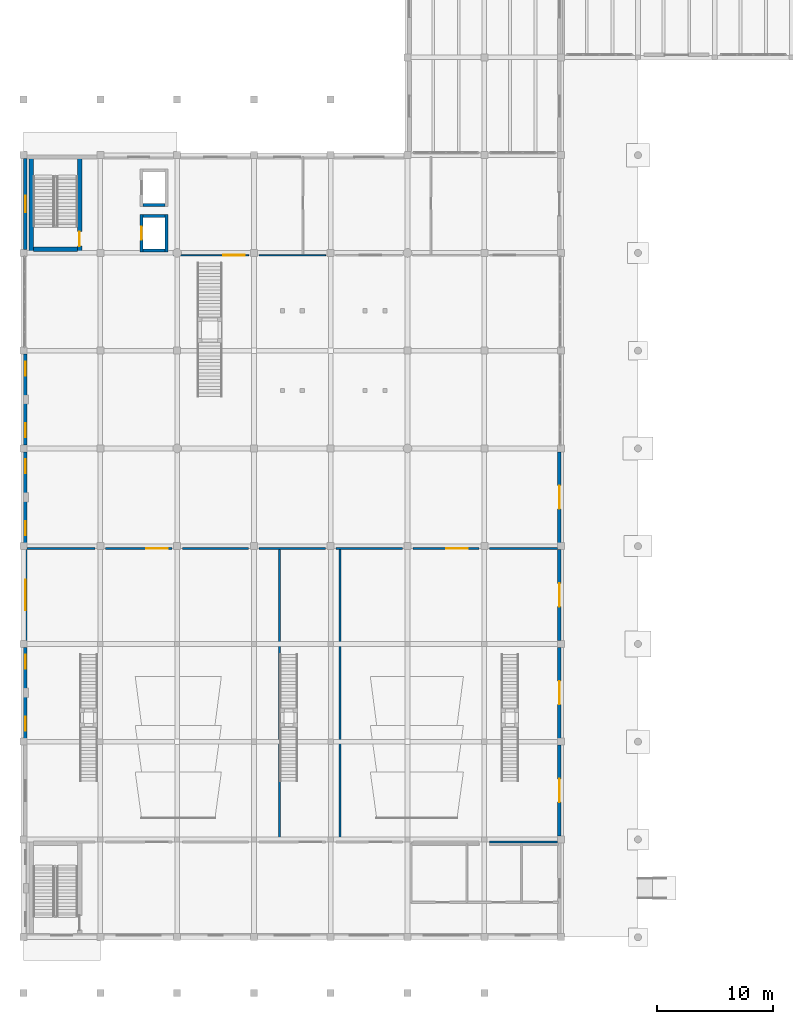
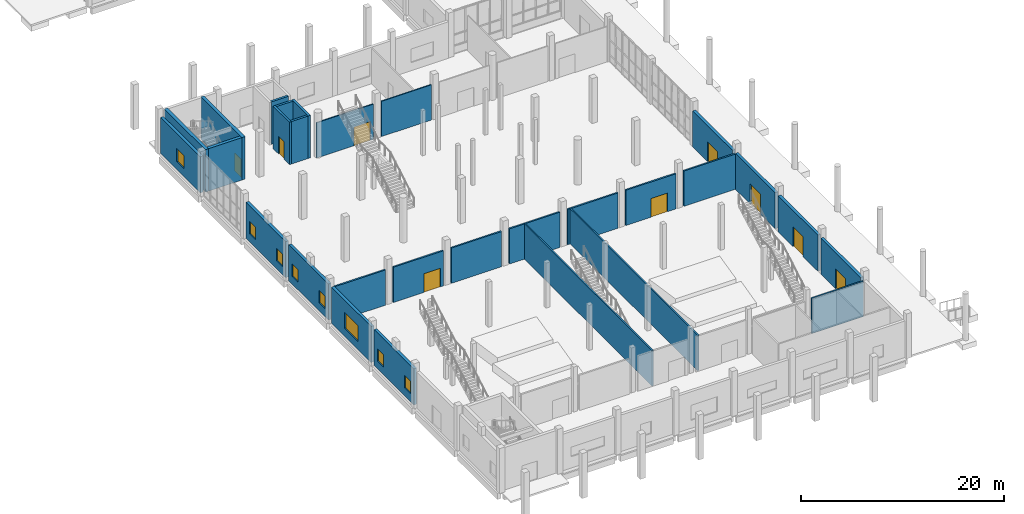
# One storey, part 41 of 64: 29 walls, 9 doors, 8 windows, 17 openings.
"""IFC4 building model written with IfcOpenShell, lengths in metres."""

from ifc_helpers import new_model, si_unit, direction, frame, frame_2d, origin, place, context, subcontext, project, spatial, rectangle, extrude, material, layer, layer_set, type_object, element, fill, save


model = new_model("IFC4")

# Units and contexts
model_context = context("Model", 3, precision=1e-05, world=origin(), true_north=direction((0.0, 1.0)))
body_context = subcontext(model_context, "Body", "Model", "MODEL_VIEW")
ifc_project = project(units=[si_unit("LENGTHUNIT", "METRE"), si_unit("AREAUNIT", "SQUARE_METRE"), si_unit("VOLUMEUNIT", "CUBIC_METRE"), si_unit("PLANEANGLEUNIT", "RADIAN"), si_unit("MASSUNIT", "GRAM", prefix="KILO")], contexts=[model_context])

# Site, building, storey
site_placement = place(None, origin())
site = spatial("IfcSite", under=ifc_project, at=site_placement, CompositionType="ELEMENT")
building_placement = place(site_placement, origin())
building = spatial("IfcBuilding", under=site, at=building_placement, Name="Qaldarim Faculty of Natural and Applied Sciences", CompositionType="ELEMENT")
storey_placement = place(building_placement, origin())
storey = spatial("IfcBuildingStorey", under=building, at=storey_placement, Name="L00", CompositionType="ELEMENT", Elevation=0.0)

# Wall, opening, door
ifc_material_1 = material(Name="Painted gypsum partition board")
ifc_layer_1 = layer(ifc_material_1, 0.1201171875)
ifc_layer_set_1 = layer_set([ifc_layer_1], Name="Painted gypsum partition board")
wall_type_1 = type_object("IfcWallType", Name="AcousticPartition-120", PredefinedType="PARTITIONING", material=ifc_layer_set_1)
wall_1_placement = place(storey_placement, frame((12.89990234375, 75.39990234375, 0.0), z_axis=(0.0, 0.0, 1.0), x_axis=(1.0, 0.0, 0.0)))
wall_1 = element("IfcWall", 1, at=wall_1_placement, inside=storey, type_object=wall_type_1, Name="Interior partition PRT-L00-V2-CAFS-S1", PredefinedType="PARTITIONING", context=body_context, shape_type="SweptSolid", body=[
    extrude(rectangle(XDim=6.4501953125, YDim=0.1201171875, at=frame_2d((3.22509765625, 0.0))), origin(), (0.0, 0.0, 1.0), 4.235107421875),
])
opening_1_placement = place(wall_1_placement, frame((4.25, 0.0, 0.0)))
opening_1 = element("IfcOpeningElement", 2, at=opening_1_placement, cuts=wall_1, Name="Opening ID05", PredefinedType="OPENING", context=body_context, shape_type="SweptSolid", body=[
    extrude(rectangle(XDim=1.85009765625, YDim=2.25, at=frame_2d((0.925048828125, 1.125))), frame((0.0, 0.070068359375, 0.0), z_axis=(0.0, -1.0, 0.0), x_axis=(1.0, 0.0, 0.0)), (0.0, 0.0, 1.0), 0.14013671875),
])
ifc_material_2 = material(Name="Oak hardwood", Category="wood")
door_type_1 = type_object("IfcDoorType", Name="LectureDoubleDoor-1850x2250", OperationType="NOTDEFINED", PredefinedType="DOOR", material=ifc_material_2)
door_1_placement = place(opening_1_placement, origin())
door_1 = element("IfcDoor", 3, at=door_1_placement, inside=storey, type_object=door_type_1, Name="Interior door D-L00-169", OperationType="DOUBLE_DOOR_SINGLE_SWING", OverallHeight=2.25, OverallWidth=1.85009765625, PredefinedType="DOOR", context=body_context, shape_type="SweptSolid", body=[
    extrude(rectangle(XDim=1.85009765625, YDim=2.25, at=frame_2d((0.925048828125, 1.125))), frame((0.0, 0.02490234375, 0.0), z_axis=(0.0, -1.0, 0.0), x_axis=(1.0, 0.0, 0.0)), (0.0, 0.0, 1.0), 0.050048828125),
])
fill(opening_1, door_1)

# Walls
wall_2_placement = place(storey_placement, frame((20.25, 75.39990234375, 0.0), z_axis=(0.0, 0.0, 1.0), x_axis=(1.0, 0.0, 0.0)))
element("IfcWall", 4, at=wall_2_placement, inside=storey, type_object=wall_type_1, Name="Interior partition PRT-L00-V2-CAFS-S2", PredefinedType="PARTITIONING", context=body_context, shape_type="SweptSolid", body=[
    extrude(rectangle(XDim=5.699951171875, YDim=0.1201171875, at=frame_2d((2.85009765625, 0.0))), origin(), (0.0, 0.0, 1.0), 4.235107421875),
])
ifc_material_3 = material(Name="Concrete C50/60", Category="concrete")
ifc_layer_2 = layer(ifc_material_3, 0.360107421875)
ifc_layer_set_2 = layer_set([ifc_layer_2], Name="Concrete C50/60")
wall_type_2 = type_object("IfcWallType", Name="CoreShearWall-360", PredefinedType="SHEAR", material=ifc_layer_set_2)
wall_3_placement = place(storey_placement, frame((0.669921875, 75.739990234375, 0.0), z_axis=(0.0, 0.0, 1.0), x_axis=(0.0, 1.0, 0.0)))
element("IfcWall", 5, at=wall_3_placement, inside=storey, type_object=wall_type_2, Name="Core stair ST-D2 west shear wall L00", PredefinedType="SHEAR", context=body_context, shape_type="SweptSolid", body=[
    extrude(rectangle(XDim=8.090087890625, YDim=0.360107421875, at=frame_2d((4.044921875, 0.0))), origin(), (0.0, 0.0, 1.0), 5.10009765625),
])

# Wall, opening, door
wall_4_placement = place(storey_placement, frame((4.830078125, 75.739990234375, 0.0), z_axis=(0.0, 0.0, 1.0), x_axis=(0.0, 1.0, 0.0)))
wall_4 = element("IfcWall", 6, at=wall_4_placement, inside=storey, type_object=wall_type_2, Name="Core stair ST-D2 east shear wall L00", PredefinedType="SHEAR", context=body_context, shape_type="SweptSolid", body=[
    extrude(rectangle(XDim=8.090087890625, YDim=0.360107421875, at=frame_2d((4.044921875, 0.0))), origin(), (0.0, 0.0, 1.0), 5.10009765625),
])
opening_2_placement = place(wall_4_placement, frame((0.449951171875, 0.0, 0.0)))
opening_2 = element("IfcOpeningElement", 7, at=opening_2_placement, cuts=wall_4, Name="Opening ID04", PredefinedType="OPENING", context=body_context, shape_type="SweptSolid", body=[
    extrude(rectangle(XDim=1.25, YDim=2.14990234375, at=frame_2d((0.625, 1.074951171875))), frame((0.0, 0.18994140625, 0.0), z_axis=(0.0, -1.0, 0.0), x_axis=(1.0, 0.0, 0.0)), (0.0, 0.0, 1.0), 0.380126953125),
])
ifc_material_4 = material(Name="Architectural stainless steel 316", Category="steel")
door_type_2 = type_object("IfcDoorType", Name="StairEnclosureFireDoor-1250x2150", OperationType="NOTDEFINED", PredefinedType="DOOR", material=ifc_material_4)
door_2_placement = place(opening_2_placement, origin())
door_2 = element("IfcDoor", 8, at=door_2_placement, inside=storey, type_object=door_type_2, Name="Protected stair ST-D2 fire door D-L00-553", OperationType="SINGLE_SWING_RIGHT", OverallHeight=2.14990234375, OverallWidth=1.25, PredefinedType="DOOR", context=body_context, shape_type="SweptSolid", body=[
    extrude(rectangle(XDim=1.25, YDim=2.14990234375, at=frame_2d((0.625, 1.074951171875))), frame((0.0, 0.02490234375, 0.0), z_axis=(0.0, -1.0, 0.0), x_axis=(1.0, 0.0, 0.0)), (0.0, 0.0, 1.0), 0.050048828125),
])
fill(opening_2, door_2)

# Wall
wall_5_placement = place(storey_placement, frame((0.85009765625, 75.919921875, 0.0), z_axis=(0.0, 0.0, 1.0), x_axis=(1.0, 0.0, 0.0)))
element("IfcWall", 9, at=wall_5_placement, inside=storey, type_object=wall_type_2, Name="Core stair ST-D2 south shear wall L00", PredefinedType="SHEAR", context=body_context, shape_type="SweptSolid", body=[
    extrude(rectangle(XDim=3.7998046875, YDim=0.360107421875, at=frame_2d((1.89990234375, 0.0))), origin(), (0.0, 0.0, 1.0), 5.10009765625),
])

# Wall, openings, windows
ifc_material_5 = material(Name="Precast concrete C40/50", Category="concrete")
ifc_layer_3 = layer(ifc_material_5, 0.320068359375)
ifc_layer_set_3 = layer_set([ifc_layer_3], Name="Precast concrete C40/50")
wall_type_3 = type_object("IfcWallType", Name="ExteriorLimestoneWall-320", PredefinedType="SOLIDWALL", material=ifc_layer_set_3)
wall_6_placement = place(storey_placement, frame((0.159912109375, 41.705078125, 0.0), z_axis=(0.0, 0.0, 1.0), x_axis=(0.0, -1.0, 0.0)))
wall_6 = element("IfcWall", 10, at=wall_6_placement, inside=storey, type_object=wall_type_3, Name="Exterior wall EW01 L00 W X01Y05", PredefinedType="SOLIDWALL", context=body_context, shape_type="SweptSolid", body=[
    extrude(rectangle(XDim=7.81005859375, YDim=0.320068359375, at=frame_2d((3.905029296875, 0.0))), origin(), (0.0, 0.0, 1.0), 4.3349609375),
])
opening_3_placement = place(wall_6_placement, frame((0.64990234375, 0.0, 0.949951171875)))
opening_3 = element("IfcOpeningElement", 11, at=opening_3_placement, cuts=wall_6, Name="Opening WN01", PredefinedType="OPENING", context=body_context, shape_type="SweptSolid", body=[
    extrude(rectangle(XDim=1.199951171875, YDim=1.5, at=frame_2d((0.60009765625, 0.75))), frame((0.0, 0.169921875, 0.0), z_axis=(0.0, -1.0, 0.0), x_axis=(1.0, 0.0, 0.0)), (0.0, 0.0, 1.0), 0.340087890625),
])
opening_4_placement = place(wall_6_placement, frame((5.9599609375, 0.0, 0.949951171875)))
opening_4 = element("IfcOpeningElement", 12, at=opening_4_placement, cuts=wall_6, Name="Opening WN01", PredefinedType="OPENING", context=body_context, shape_type="SweptSolid", body=[
    extrude(rectangle(XDim=1.199951171875, YDim=1.5, at=frame_2d((0.60009765625, 0.75))), frame((0.0, 0.169921875, 0.0), z_axis=(0.0, -1.0, 0.0), x_axis=(1.0, 0.0, 0.0)), (0.0, 0.0, 1.0), 0.340087890625),
])
ifc_material_6 = material(Name="Insulated low-e double glazing", Category="glass")
window_type_1 = type_object("IfcWindowType", Name="Window-1200x1500", PartitioningType="SINGLE_PANEL", PredefinedType="WINDOW", material=ifc_material_6)
window_1_placement = place(opening_3_placement, origin())
window_1 = element("IfcWindow", 13, at=window_1_placement, inside=storey, type_object=window_type_1, Name="Pilaster-bay flanking window L00 W X01Y05-1", OverallHeight=1.5, OverallWidth=1.199951171875, PartitioningType="SINGLE_PANEL", PredefinedType="WINDOW", context=body_context, shape_type="SweptSolid", body=[
    extrude(rectangle(XDim=1.199951171875, YDim=1.5, at=frame_2d((0.60009765625, 0.75))), frame((0.0, 0.030029296875, 0.0), z_axis=(0.0, -1.0, 0.0), x_axis=(1.0, 0.0, 0.0)), (0.0, 0.0, 1.0), 0.06005859375),
])
fill(opening_3, window_1)
window_2_placement = place(opening_4_placement, origin())
window_2 = element("IfcWindow", 14, at=window_2_placement, inside=storey, type_object=window_type_1, Name="Pilaster-bay flanking window L00 W X01Y05-2", OverallHeight=1.5, OverallWidth=1.199951171875, PartitioningType="SINGLE_PANEL", PredefinedType="WINDOW", context=body_context, shape_type="SweptSolid", body=[
    extrude(rectangle(XDim=1.199951171875, YDim=1.5, at=frame_2d((0.60009765625, 0.75))), frame((0.0, 0.030029296875, 0.0), z_axis=(0.0, -1.0, 0.0), x_axis=(1.0, 0.0, 0.0)), (0.0, 0.0, 1.0), 0.06005859375),
])
fill(opening_4, window_2)

# Wall, opening, window
wall_7_placement = place(storey_placement, frame((0.159912109375, 50.10498046875, 0.0), z_axis=(0.0, 0.0, 1.0), x_axis=(0.0, -1.0, 0.0)))
wall_7 = element("IfcWall", 15, at=wall_7_placement, inside=storey, type_object=wall_type_3, Name="Exterior wall EW01 L00 W X01Y06", PredefinedType="SOLIDWALL", context=body_context, shape_type="SweptSolid", body=[
    extrude(rectangle(XDim=7.81005859375, YDim=0.320068359375, at=frame_2d((3.905029296875, 0.0))), origin(), (0.0, 0.0, 1.0), 4.3349609375),
])
opening_5_placement = place(wall_7_placement, frame((2.60498046875, 0.0, 0.949951171875)))
opening_5 = element("IfcOpeningElement", 16, at=opening_5_placement, cuts=wall_7, Name="Opening WN22", PredefinedType="OPENING", context=body_context, shape_type="SweptSolid", body=[
    extrude(rectangle(XDim=2.60009765625, YDim=1.89990234375, at=frame_2d((1.300048828125, 0.949951171875))), frame((0.0, 0.169921875, 0.0), z_axis=(0.0, -1.0, 0.0), x_axis=(1.0, 0.0, 0.0)), (0.0, 0.0, 1.0), 0.340087890625),
])
window_type_2 = type_object("IfcWindowType", Name="StudyWindow-2600x1900", PartitioningType="TRIPLE_PANEL_VERTICAL", PredefinedType="WINDOW", material=ifc_material_6)
window_3_placement = place(opening_5_placement, origin())
window_3 = element("IfcWindow", 17, at=window_3_placement, inside=storey, type_object=window_type_2, Name="Facade window WN22 L00 W X01Y06", OverallHeight=1.89990234375, OverallWidth=2.60009765625, PartitioningType="SINGLE_PANEL", PredefinedType="WINDOW", context=body_context, shape_type="SweptSolid", body=[
    extrude(rectangle(XDim=2.60009765625, YDim=1.89990234375, at=frame_2d((1.300048828125, 0.949951171875))), frame((0.0, 0.030029296875, 0.0), z_axis=(0.0, -1.0, 0.0), x_axis=(1.0, 0.0, 0.0)), (0.0, 0.0, 1.0), 0.06005859375),
])
fill(opening_5, window_3)

# Wall, openings, windows
wall_8_placement = place(storey_placement, frame((0.159912109375, 58.5048828125, 0.0), z_axis=(0.0, 0.0, 1.0), x_axis=(0.0, -1.0, 0.0)))
wall_8 = element("IfcWall", 18, at=wall_8_placement, inside=storey, type_object=wall_type_3, Name="Exterior wall EW01 L00 W X01Y07", PredefinedType="SOLIDWALL", context=body_context, shape_type="SweptSolid", body=[
    extrude(rectangle(XDim=7.809814453125, YDim=0.320068359375, at=frame_2d((3.90478515625, 0.0))), origin(), (0.0, 0.0, 1.0), 4.3349609375),
])
opening_6_placement = place(wall_8_placement, frame((0.64990234375, 0.0, 0.949951171875)))
opening_6 = element("IfcOpeningElement", 19, at=opening_6_placement, cuts=wall_8, Name="Opening WN01", PredefinedType="OPENING", context=body_context, shape_type="SweptSolid", body=[
    extrude(rectangle(XDim=1.199951171875, YDim=1.5, at=frame_2d((0.60009765625, 0.75))), frame((0.0, 0.169921875, 0.0), z_axis=(0.0, -1.0, 0.0), x_axis=(1.0, 0.0, 0.0)), (0.0, 0.0, 1.0), 0.340087890625),
])
opening_7_placement = place(wall_8_placement, frame((5.9599609375, 0.0, 0.949951171875)))
opening_7 = element("IfcOpeningElement", 20, at=opening_7_placement, cuts=wall_8, Name="Opening WN01", PredefinedType="OPENING", context=body_context, shape_type="SweptSolid", body=[
    extrude(rectangle(XDim=1.199951171875, YDim=1.5, at=frame_2d((0.60009765625, 0.75))), frame((0.0, 0.169921875, 0.0), z_axis=(0.0, -1.0, 0.0), x_axis=(1.0, 0.0, 0.0)), (0.0, 0.0, 1.0), 0.340087890625),
])
window_4_placement = place(opening_6_placement, origin())
window_4 = element("IfcWindow", 21, at=window_4_placement, inside=storey, type_object=window_type_1, Name="Pilaster-bay flanking window L00 W X01Y07-1", OverallHeight=1.5, OverallWidth=1.199951171875, PartitioningType="SINGLE_PANEL", PredefinedType="WINDOW", context=body_context, shape_type="SweptSolid", body=[
    extrude(rectangle(XDim=1.199951171875, YDim=1.5, at=frame_2d((0.60009765625, 0.75))), frame((0.0, 0.030029296875, 0.0), z_axis=(0.0, -1.0, 0.0), x_axis=(1.0, 0.0, 0.0)), (0.0, 0.0, 1.0), 0.06005859375),
])
fill(opening_6, window_4)
window_5_placement = place(opening_7_placement, origin())
window_5 = element("IfcWindow", 22, at=window_5_placement, inside=storey, type_object=window_type_1, Name="Pilaster-bay flanking window L00 W X01Y07-2", OverallHeight=1.5, OverallWidth=1.199951171875, PartitioningType="SINGLE_PANEL", PredefinedType="WINDOW", context=body_context, shape_type="SweptSolid", body=[
    extrude(rectangle(XDim=1.199951171875, YDim=1.5, at=frame_2d((0.60009765625, 0.75))), frame((0.0, 0.030029296875, 0.0), z_axis=(0.0, -1.0, 0.0), x_axis=(1.0, 0.0, 0.0)), (0.0, 0.0, 1.0), 0.06005859375),
])
fill(opening_7, window_5)

wall_9_placement = place(storey_placement, frame((0.159912109375, 66.905029296875, 0.0), z_axis=(0.0, 0.0, 1.0), x_axis=(0.0, -1.0, 0.0)))
wall_9 = element("IfcWall", 23, at=wall_9_placement, inside=storey, type_object=wall_type_3, Name="Exterior wall EW01 L00 W X01Y08", PredefinedType="SOLIDWALL", context=body_context, shape_type="SweptSolid", body=[
    extrude(rectangle(XDim=7.81005859375, YDim=0.320068359375, at=frame_2d((3.905029296875, 0.0))), origin(), (0.0, 0.0, 1.0), 4.3349609375),
])
opening_8_placement = place(wall_9_placement, frame((0.64990234375, 0.0, 0.949951171875)))
opening_8 = element("IfcOpeningElement", 24, at=opening_8_placement, cuts=wall_9, Name="Opening WN01", PredefinedType="OPENING", context=body_context, shape_type="SweptSolid", body=[
    extrude(rectangle(XDim=1.199951171875, YDim=1.5, at=frame_2d((0.60009765625, 0.75))), frame((0.0, 0.169921875, 0.0), z_axis=(0.0, -1.0, 0.0), x_axis=(1.0, 0.0, 0.0)), (0.0, 0.0, 1.0), 0.340087890625),
])
opening_9_placement = place(wall_9_placement, frame((5.9599609375, 0.0, 0.949951171875)))
opening_9 = element("IfcOpeningElement", 25, at=opening_9_placement, cuts=wall_9, Name="Opening WN01", PredefinedType="OPENING", context=body_context, shape_type="SweptSolid", body=[
    extrude(rectangle(XDim=1.199951171875, YDim=1.5, at=frame_2d((0.60009765625, 0.75))), frame((0.0, 0.169921875, 0.0), z_axis=(0.0, -1.0, 0.0), x_axis=(1.0, 0.0, 0.0)), (0.0, 0.0, 1.0), 0.340087890625),
])
window_6_placement = place(opening_8_placement, origin())
window_6 = element("IfcWindow", 26, at=window_6_placement, inside=storey, type_object=window_type_1, Name="Pilaster-bay flanking window L00 W X01Y08-1", OverallHeight=1.5, OverallWidth=1.199951171875, PartitioningType="SINGLE_PANEL", PredefinedType="WINDOW", context=body_context, shape_type="SweptSolid", body=[
    extrude(rectangle(XDim=1.199951171875, YDim=1.5, at=frame_2d((0.60009765625, 0.75))), frame((0.0, 0.030029296875, 0.0), z_axis=(0.0, -1.0, 0.0), x_axis=(1.0, 0.0, 0.0)), (0.0, 0.0, 1.0), 0.06005859375),
])
fill(opening_8, window_6)
window_7_placement = place(opening_9_placement, origin())
window_7 = element("IfcWindow", 27, at=window_7_placement, inside=storey, type_object=window_type_1, Name="Pilaster-bay flanking window L00 W X01Y08-2", OverallHeight=1.5, OverallWidth=1.199951171875, PartitioningType="SINGLE_PANEL", PredefinedType="WINDOW", context=body_context, shape_type="SweptSolid", body=[
    extrude(rectangle(XDim=1.199951171875, YDim=1.5, at=frame_2d((0.60009765625, 0.75))), frame((0.0, 0.030029296875, 0.0), z_axis=(0.0, -1.0, 0.0), x_axis=(1.0, 0.0, 0.0)), (0.0, 0.0, 1.0), 0.06005859375),
])
fill(opening_9, window_7)

# Wall, opening, window
wall_10_placement = place(storey_placement, frame((0.159912109375, 83.705078125, 0.0), z_axis=(0.0, 0.0, 1.0), x_axis=(0.0, -1.0, 0.0)))
wall_10 = element("IfcWall", 28, at=wall_10_placement, inside=storey, type_object=wall_type_3, Name="Exterior wall EW01 L00 W X01Y10", PredefinedType="SOLIDWALL", context=body_context, shape_type="SweptSolid", body=[
    extrude(rectangle(XDim=7.81005859375, YDim=0.320068359375, at=frame_2d((3.905029296875, 0.0))), origin(), (0.0, 0.0, 1.0), 4.3349609375),
])
opening_10_placement = place(wall_10_placement, frame((3.179931640625, 0.0, 0.949951171875)))
opening_10 = element("IfcOpeningElement", 29, at=opening_10_placement, cuts=wall_10, Name="Opening WN32", PredefinedType="OPENING", context=body_context, shape_type="SweptSolid", body=[
    extrude(rectangle(XDim=1.449951171875, YDim=1.60009765625, at=frame_2d((0.72509765625, 0.800048828125))), frame((0.0, 0.169921875, 0.0), z_axis=(0.0, -1.0, 0.0), x_axis=(1.0, 0.0, 0.0)), (0.0, 0.0, 1.0), 0.340087890625),
])
window_type_3 = type_object("IfcWindowType", Name="SeminarWindow-1450x1600", PartitioningType="DOUBLE_PANEL_VERTICAL", PredefinedType="WINDOW", material=ifc_material_6)
window_8_placement = place(opening_10_placement, origin())
window_8 = element("IfcWindow", 30, at=window_8_placement, inside=storey, type_object=window_type_3, Name="Facade window WN32 L00 W X01Y10", OverallHeight=1.60009765625, OverallWidth=1.449951171875, PartitioningType="SINGLE_PANEL", PredefinedType="WINDOW", context=body_context, shape_type="SweptSolid", body=[
    extrude(rectangle(XDim=1.449951171875, YDim=1.60009765625, at=frame_2d((0.72509765625, 0.800048828125))), frame((0.0, 0.030029296875, 0.0), z_axis=(0.0, -1.0, 0.0), x_axis=(1.0, 0.0, 0.0)), (0.0, 0.0, 1.0), 0.06005859375),
])
fill(opening_10, window_8)

# Wall, opening, door
wall_11_placement = place(storey_placement, frame((46.0400390625, 25.4951171875, 0.0), z_axis=(0.0, 0.0, 1.0), x_axis=(0.0, 1.0, 0.0)))
wall_11 = element("IfcWall", 31, at=wall_11_placement, inside=storey, type_object=wall_type_3, Name="Exterior wall EW01 L00 E X07Y04", PredefinedType="SOLIDWALL", context=body_context, shape_type="SweptSolid", body=[
    extrude(rectangle(XDim=7.809814453125, YDim=0.320068359375, at=frame_2d((3.90478515625, 0.0))), origin(), (0.0, 0.0, 1.0), 4.3349609375),
])
opening_11_placement = place(wall_11_placement, frame((2.905029296875, 0.0, 0.0)))
opening_11 = element("IfcOpeningElement", 32, at=opening_11_placement, cuts=wall_11, Name="Opening ED01", PredefinedType="OPENING", context=body_context, shape_type="SweptSolid", body=[
    extrude(rectangle(XDim=2.0, YDim=2.39990234375, at=frame_2d((1.0, 1.199951171875))), frame((0.0, 0.169921875, 0.0), z_axis=(0.0, -1.0, 0.0), x_axis=(1.0, 0.0, 0.0)), (0.0, 0.0, 1.0), 0.340087890625),
])
ifc_material_7 = material(Name="Anodised aluminium AW-6063", Category="aluminium")
door_type_3 = type_object("IfcDoorType", Name="MainEntranceDoubleDoor-2000x2400", OperationType="NOTDEFINED", PredefinedType="DOOR", material=ifc_material_7)
door_3_placement = place(opening_11_placement, frame((2.0, 0.0, 0.0), z_axis=(0.0, 0.0, 1.0), x_axis=(-1.0, 0.0, 0.0)))
door_3 = element("IfcDoor", 33, at=door_3_placement, inside=storey, type_object=door_type_3, Name="Exterior entrance/exit door D-L00-006", OperationType="DOUBLE_DOOR_SINGLE_SWING", OverallHeight=2.39990234375, OverallWidth=2.0, PredefinedType="DOOR", context=body_context, shape_type="SweptSolid", body=[
    extrude(rectangle(XDim=2.0, YDim=2.39990234375, at=frame_2d((1.0, 1.199951171875))), frame((0.0, 0.02490234375, 0.0), z_axis=(0.0, -1.0, 0.0), x_axis=(1.0, 0.0, 0.0)), (0.0, 0.0, 1.0), 0.050048828125),
])
fill(opening_11, door_3)

wall_12_placement = place(storey_placement, frame((46.0400390625, 33.89501953125, 0.0), z_axis=(0.0, 0.0, 1.0), x_axis=(0.0, 1.0, 0.0)))
wall_12 = element("IfcWall", 34, at=wall_12_placement, inside=storey, type_object=wall_type_3, Name="Exterior wall EW01 L00 E X07Y05", PredefinedType="SOLIDWALL", context=body_context, shape_type="SweptSolid", body=[
    extrude(rectangle(XDim=7.81005859375, YDim=0.320068359375, at=frame_2d((3.905029296875, 0.0))), origin(), (0.0, 0.0, 1.0), 4.3349609375),
])
opening_12_placement = place(wall_12_placement, frame((2.905029296875, 0.0, 0.0)))
opening_12 = element("IfcOpeningElement", 35, at=opening_12_placement, cuts=wall_12, Name="Opening ED01", PredefinedType="OPENING", context=body_context, shape_type="SweptSolid", body=[
    extrude(rectangle(XDim=2.0, YDim=2.39990234375, at=frame_2d((1.0, 1.199951171875))), frame((0.0, 0.169921875, 0.0), z_axis=(0.0, -1.0, 0.0), x_axis=(1.0, 0.0, 0.0)), (0.0, 0.0, 1.0), 0.340087890625),
])
door_4_placement = place(opening_12_placement, frame((2.0, 0.0, 0.0), z_axis=(0.0, 0.0, 1.0), x_axis=(-1.0, 0.0, 0.0)))
door_4 = element("IfcDoor", 36, at=door_4_placement, inside=storey, type_object=door_type_3, Name="Exterior entrance/exit door D-L00-007", OperationType="DOUBLE_DOOR_SINGLE_SWING", OverallHeight=2.39990234375, OverallWidth=2.0, PredefinedType="DOOR", context=body_context, shape_type="SweptSolid", body=[
    extrude(rectangle(XDim=2.0, YDim=2.39990234375, at=frame_2d((1.0, 1.199951171875))), frame((0.0, 0.02490234375, 0.0), z_axis=(0.0, -1.0, 0.0), x_axis=(1.0, 0.0, 0.0)), (0.0, 0.0, 1.0), 0.050048828125),
])
fill(opening_12, door_4)

wall_13_placement = place(storey_placement, frame((46.0400390625, 42.294921875, 0.0), z_axis=(0.0, 0.0, 1.0), x_axis=(0.0, 1.0, 0.0)))
wall_13 = element("IfcWall", 37, at=wall_13_placement, inside=storey, type_object=wall_type_3, Name="Exterior wall EW01 L00 E X07Y06", PredefinedType="SOLIDWALL", context=body_context, shape_type="SweptSolid", body=[
    extrude(rectangle(XDim=7.81005859375, YDim=0.320068359375, at=frame_2d((3.905029296875, 0.0))), origin(), (0.0, 0.0, 1.0), 4.3349609375),
])
opening_13_placement = place(wall_13_placement, frame((2.905029296875, 0.0, 0.0)))
opening_13 = element("IfcOpeningElement", 38, at=opening_13_placement, cuts=wall_13, Name="Opening ED01", PredefinedType="OPENING", context=body_context, shape_type="SweptSolid", body=[
    extrude(rectangle(XDim=2.0, YDim=2.39990234375, at=frame_2d((1.0, 1.199951171875))), frame((0.0, 0.169921875, 0.0), z_axis=(0.0, -1.0, 0.0), x_axis=(1.0, 0.0, 0.0)), (0.0, 0.0, 1.0), 0.340087890625),
])
door_5_placement = place(opening_13_placement, frame((2.0, 0.0, 0.0), z_axis=(0.0, 0.0, 1.0), x_axis=(-1.0, 0.0, 0.0)))
door_5 = element("IfcDoor", 39, at=door_5_placement, inside=storey, type_object=door_type_3, Name="Exterior entrance/exit door D-L00-008", OperationType="DOUBLE_DOOR_SINGLE_SWING", OverallHeight=2.39990234375, OverallWidth=2.0, PredefinedType="DOOR", context=body_context, shape_type="SweptSolid", body=[
    extrude(rectangle(XDim=2.0, YDim=2.39990234375, at=frame_2d((1.0, 1.199951171875))), frame((0.0, 0.02490234375, 0.0), z_axis=(0.0, -1.0, 0.0), x_axis=(1.0, 0.0, 0.0)), (0.0, 0.0, 1.0), 0.050048828125),
])
fill(opening_13, door_5)

wall_14_placement = place(storey_placement, frame((46.0400390625, 50.695068359375, 0.0), z_axis=(0.0, 0.0, 1.0), x_axis=(0.0, 1.0, 0.0)))
wall_14 = element("IfcWall", 40, at=wall_14_placement, inside=storey, type_object=wall_type_3, Name="Exterior wall EW01 L00 E X07Y07", PredefinedType="SOLIDWALL", context=body_context, shape_type="SweptSolid", body=[
    extrude(rectangle(XDim=7.809814453125, YDim=0.320068359375, at=frame_2d((3.90478515625, 0.0))), origin(), (0.0, 0.0, 1.0), 4.3349609375),
])
opening_14_placement = place(wall_14_placement, frame((2.905029296875, 0.0, 0.0)))
opening_14 = element("IfcOpeningElement", 41, at=opening_14_placement, cuts=wall_14, Name="Opening ED01", PredefinedType="OPENING", context=body_context, shape_type="SweptSolid", body=[
    extrude(rectangle(XDim=2.0, YDim=2.39990234375, at=frame_2d((1.0, 1.199951171875))), frame((0.0, 0.169921875, 0.0), z_axis=(0.0, -1.0, 0.0), x_axis=(1.0, 0.0, 0.0)), (0.0, 0.0, 1.0), 0.340087890625),
])
door_6_placement = place(opening_14_placement, frame((2.0, 0.0, 0.0), z_axis=(0.0, 0.0, 1.0), x_axis=(-1.0, 0.0, 0.0)))
door_6 = element("IfcDoor", 42, at=door_6_placement, inside=storey, type_object=door_type_3, Name="Exterior entrance/exit door D-L00-009", OperationType="DOUBLE_DOOR_SINGLE_SWING", OverallHeight=2.39990234375, OverallWidth=2.0, PredefinedType="DOOR", context=body_context, shape_type="SweptSolid", body=[
    extrude(rectangle(XDim=2.0, YDim=2.39990234375, at=frame_2d((1.0, 1.199951171875))), frame((0.0, 0.02490234375, 0.0), z_axis=(0.0, -1.0, 0.0), x_axis=(1.0, 0.0, 0.0)), (0.0, 0.0, 1.0), 0.050048828125),
])
fill(opening_14, door_6)

# Walls
ifc_material_8 = material(Name="Concrete C40/50", Category="concrete")
ifc_layer_4 = layer(ifc_material_8, 0.159912109375)
ifc_layer_set_4 = layer_set([ifc_layer_4], Name="Concrete C40/50")
wall_type_4 = type_object("IfcWallType", Name="FireCorridorWall-160", PredefinedType="PARTITIONING", material=ifc_layer_set_4)
for number, where, z_axis, x_axis, name in (
    (43, (22.0, 25.0, 0.0), (0.0, 0.0, 1.0), (0.0, 1.0, 0.0), "Interior partition PRT-L00-V1-AVW"),
    (44, (27.199951171875, 25.0, 0.0), (0.0, 0.0, 1.0), (0.0, 1.0, 0.0), "Interior partition PRT-L00-V1-AVE"),
):
    element("IfcWall", number, at=place(storey_placement, frame(where, z_axis=z_axis, x_axis=x_axis)), inside=storey, type_object=wall_type_4, Name=name, PredefinedType="PARTITIONING", context=body_context, shape_type="SweptSolid", body=[
        extrude(rectangle(XDim=25.199951171875, YDim=0.159912109375, at=frame_2d((12.60009765625, 0.0))), origin(), (0.0, 0.0, 1.0), 4.25),
    ])
ifc_layer_5 = layer(ifc_material_8, 0.179931640625)
ifc_layer_set_5 = layer_set([ifc_layer_5], Name="Concrete C40/50")
wall_type_5 = type_object("IfcWallType", Name="LabFireCompartmentWall-180", PredefinedType="SOLIDWALL", material=ifc_layer_set_5)
for number, where, z_axis, x_axis, name in (
    (45, (40.050048828125, 25.0, 0.0), (0.0, 0.0, 1.0), (1.0, 0.0, 0.0), "Interior partition PRT-L00-V1-THS-S7"),
    (46, (0.320068359375, 50.199951171875, 0.0), (0.0, 0.0, 1.0), (1.0, 0.0, 0.0), "Interior partition PRT-L00-V1-THN-S1"),
):
    element("IfcWall", number, at=place(storey_placement, frame(where, z_axis=z_axis, x_axis=x_axis)), inside=storey, type_object=wall_type_5, Name=name, PredefinedType="SOLIDWALL", context=body_context, shape_type="SweptSolid", body=[
        extrude(rectangle(XDim=5.829833984375, YDim=0.179931640625, at=frame_2d((2.9150390625, 0.0))), origin(), (0.0, 0.0, 1.0), 4.235107421875),
    ])

# Wall, opening, door
wall_15_placement = place(storey_placement, frame((7.050048828125, 50.199951171875, 0.0), z_axis=(0.0, 0.0, 1.0), x_axis=(1.0, 0.0, 0.0)))
wall_15 = element("IfcWall", 47, at=wall_15_placement, inside=storey, type_object=wall_type_5, Name="Interior partition PRT-L00-V1-THN-S2", PredefinedType="SOLIDWALL", context=body_context, shape_type="SweptSolid", body=[
    extrude(rectangle(XDim=5.699951171875, YDim=0.179931640625, at=frame_2d((2.85009765625, 0.0))), origin(), (0.0, 0.0, 1.0), 4.235107421875),
])
opening_15_placement = place(wall_15_placement, frame((3.5, 0.0, 0.0)))
opening_15 = element("IfcOpeningElement", 48, at=opening_15_placement, cuts=wall_15, Name="Opening ID05", PredefinedType="OPENING", context=body_context, shape_type="SweptSolid", body=[
    extrude(rectangle(XDim=1.85009765625, YDim=2.25, at=frame_2d((0.925048828125, 1.125))), frame((0.0, 0.099853515625, 0.0), z_axis=(0.0, -1.0, 0.0), x_axis=(1.0, 0.0, 0.0)), (0.0, 0.0, 1.0), 0.199951171875),
])
door_7_placement = place(opening_15_placement, origin())
door_7 = element("IfcDoor", 49, at=door_7_placement, inside=storey, type_object=door_type_1, Name="Interior door D-L00-167", OperationType="DOUBLE_DOOR_SINGLE_SWING", OverallHeight=2.25, OverallWidth=1.85009765625, PredefinedType="DOOR", context=body_context, shape_type="SweptSolid", body=[
    extrude(rectangle(XDim=1.85009765625, YDim=2.25, at=frame_2d((0.925048828125, 1.125))), frame((0.0, 0.02490234375, 0.0), z_axis=(0.0, -1.0, 0.0), x_axis=(1.0, 0.0, 0.0)), (0.0, 0.0, 1.0), 0.050048828125),
])
fill(opening_15, door_7)

# Walls
wall_16_placement = place(storey_placement, frame((13.64990234375, 50.199951171875, 0.0), z_axis=(0.0, 0.0, 1.0), x_axis=(1.0, 0.0, 0.0)))
element("IfcWall", 50, at=wall_16_placement, inside=storey, type_object=wall_type_5, Name="Interior partition PRT-L00-V1-THN-S3", PredefinedType="SOLIDWALL", context=body_context, shape_type="SweptSolid", body=[
    extrude(rectangle(XDim=5.7001953125, YDim=0.179931640625, at=frame_2d((2.85009765625, 0.0))), origin(), (0.0, 0.0, 1.0), 4.235107421875),
])
for number, where, z_axis, x_axis, name in (
    (51, (20.25, 50.199951171875, 0.0), (0.0, 0.0, 1.0), (1.0, 0.0, 0.0), "Interior partition PRT-L00-V1-THN-S4"),
    (52, (26.85009765625, 50.199951171875, 0.0), (0.0, 0.0, 1.0), (1.0, 0.0, 0.0), "Interior partition PRT-L00-V1-THN-S5"),
):
    element("IfcWall", number, at=place(storey_placement, frame(where, z_axis=z_axis, x_axis=x_axis)), inside=storey, type_object=wall_type_5, Name=name, PredefinedType="SOLIDWALL", context=body_context, shape_type="SweptSolid", body=[
        extrude(rectangle(XDim=5.699951171875, YDim=0.179931640625, at=frame_2d((2.85009765625, 0.0))), origin(), (0.0, 0.0, 1.0), 4.235107421875),
    ])

# Wall, opening, door
wall_17_placement = place(storey_placement, frame((33.449951171875, 50.199951171875, 0.0), z_axis=(0.0, 0.0, 1.0), x_axis=(1.0, 0.0, 0.0)))
wall_17 = element("IfcWall", 53, at=wall_17_placement, inside=storey, type_object=wall_type_5, Name="Interior partition PRT-L00-V1-THN-S6", PredefinedType="SOLIDWALL", context=body_context, shape_type="SweptSolid", body=[
    extrude(rectangle(XDim=5.699951171875, YDim=0.179931640625, at=frame_2d((2.85009765625, 0.0))), origin(), (0.0, 0.0, 1.0), 4.235107421875),
])
opening_16_placement = place(wall_17_placement, frame((2.8701171875, 0.0, 0.0)))
opening_16 = element("IfcOpeningElement", 54, at=opening_16_placement, cuts=wall_17, Name="Opening ID05", PredefinedType="OPENING", context=body_context, shape_type="SweptSolid", body=[
    extrude(rectangle(XDim=1.85009765625, YDim=2.25, at=frame_2d((0.925048828125, 1.125))), frame((0.0, 0.099853515625, 0.0), z_axis=(0.0, -1.0, 0.0), x_axis=(1.0, 0.0, 0.0)), (0.0, 0.0, 1.0), 0.199951171875),
])
door_8_placement = place(opening_16_placement, origin())
door_8 = element("IfcDoor", 55, at=door_8_placement, inside=storey, type_object=door_type_1, Name="Interior door D-L00-168", OperationType="DOUBLE_DOOR_SINGLE_SWING", OverallHeight=2.25, OverallWidth=1.85009765625, PredefinedType="DOOR", context=body_context, shape_type="SweptSolid", body=[
    extrude(rectangle(XDim=1.85009765625, YDim=2.25, at=frame_2d((0.925048828125, 1.125))), frame((0.0, 0.02490234375, 0.0), z_axis=(0.0, -1.0, 0.0), x_axis=(1.0, 0.0, 0.0)), (0.0, 0.0, 1.0), 0.050048828125),
])
fill(opening_16, door_8)

# Wall
wall_18_placement = place(storey_placement, frame((40.050048828125, 50.199951171875, 0.0), z_axis=(0.0, 0.0, 1.0), x_axis=(1.0, 0.0, 0.0)))
element("IfcWall", 56, at=wall_18_placement, inside=storey, type_object=wall_type_5, Name="Interior partition PRT-L00-V1-THN-S7", PredefinedType="SOLIDWALL", context=body_context, shape_type="SweptSolid", body=[
    extrude(rectangle(XDim=5.829833984375, YDim=0.179931640625, at=frame_2d((2.9150390625, 0.0))), origin(), (0.0, 0.0, 1.0), 4.235107421875),
])

# Wall, opening, door
ifc_layer_6 = layer(ifc_material_8, 0.25)
ifc_layer_set_6 = layer_set([ifc_layer_6], Name="Concrete C40/50")
wall_type_6 = type_object("IfcWallType", Name="LiftShaftWall-250", PredefinedType="SHEAR", material=ifc_layer_set_6)
wall_19_placement = place(storey_placement, frame((10.125, 75.699951171875, 0.0), z_axis=(0.0, 0.0, 1.0), x_axis=(0.0, 1.0, 0.0)))
wall_19 = element("IfcWall", 57, at=wall_19_placement, inside=storey, type_object=wall_type_6, Name="Lift LF-D1 front shaft wall L00", PredefinedType="SHEAR", context=body_context, shape_type="SweptSolid", body=[
    extrude(rectangle(XDim=3.199951171875, YDim=0.25, at=frame_2d((1.60009765625, 0.0))), origin(), (0.0, 0.0, 1.0), 5.10009765625),
])
opening_17_placement = place(wall_19_placement, frame((1.050048828125, 0.0, 0.0)))
opening_17 = element("IfcOpeningElement", 58, at=opening_17_placement, cuts=wall_19, Name="Opening LD01", PredefinedType="OPENING", context=body_context, shape_type="SweptSolid", body=[
    extrude(rectangle(XDim=1.10009765625, YDim=2.14990234375, at=frame_2d((0.550048828125, 1.074951171875))), frame((0.0, 0.135009765625, 0.0), z_axis=(0.0, -1.0, 0.0), x_axis=(1.0, 0.0, 0.0)), (0.0, 0.0, 1.0), 0.27001953125),
])
door_type_4 = type_object("IfcDoorType", Name="LiftLandingSlidingDoor-1100x2150", OperationType="NOTDEFINED", PredefinedType="DOOR", material=ifc_material_4)
door_9_placement = place(opening_17_placement, origin())
door_9 = element("IfcDoor", 59, at=door_9_placement, inside=storey, type_object=door_type_4, Name="Lift landing sliding door LF-D1 D-L00-663", OperationType="SLIDING_TO_LEFT", OverallHeight=2.14990234375, OverallWidth=1.10009765625, PredefinedType="DOOR", context=body_context, shape_type="SweptSolid", body=[
    extrude(rectangle(XDim=1.10009765625, YDim=2.14990234375, at=frame_2d((0.550048828125, 1.074951171875))), frame((0.0, 0.02490234375, 0.0), z_axis=(0.0, -1.0, 0.0), x_axis=(1.0, 0.0, 0.0)), (0.0, 0.0, 1.0), 0.050048828125),
])
fill(opening_17, door_9)

# Walls
wall_20_placement = place(storey_placement, frame((12.27490234375, 75.699951171875, 0.0), z_axis=(0.0, 0.0, 1.0), x_axis=(0.0, 1.0, 0.0)))
element("IfcWall", 60, at=wall_20_placement, inside=storey, type_object=wall_type_6, Name="Lift LF-D1 rear shaft wall L00", PredefinedType="SHEAR", context=body_context, shape_type="SweptSolid", body=[
    extrude(rectangle(XDim=3.199951171875, YDim=0.25, at=frame_2d((1.60009765625, 0.0))), origin(), (0.0, 0.0, 1.0), 5.10009765625),
])
for number, where, z_axis, x_axis, name in (
    (61, (10.25, 75.824951171875, 0.0), (0.0, 0.0, 1.0), (1.0, 0.0, 0.0), "Lift LF-D1 south shaft wall L00"),
    (62, (10.25, 78.77490234375, 0.0), (0.0, 0.0, 1.0), (1.0, 0.0, 0.0), "Lift LF-D1 north shaft wall L00"),
    (63, (10.25, 79.72509765625, 0.0), (0.0, 0.0, 1.0), (1.0, 0.0, 0.0), "Lift LF-D2 south shaft wall L00"),
):
    element("IfcWall", number, at=place(storey_placement, frame(where, z_axis=z_axis, x_axis=x_axis)), inside=storey, type_object=wall_type_6, Name=name, PredefinedType="SHEAR", context=body_context, shape_type="SweptSolid", body=[
        extrude(rectangle(XDim=1.89990234375, YDim=0.25, at=frame_2d((0.949951171875, 0.0))), origin(), (0.0, 0.0, 1.0), 5.10009765625),
    ])

save(model, "model.ifc")
